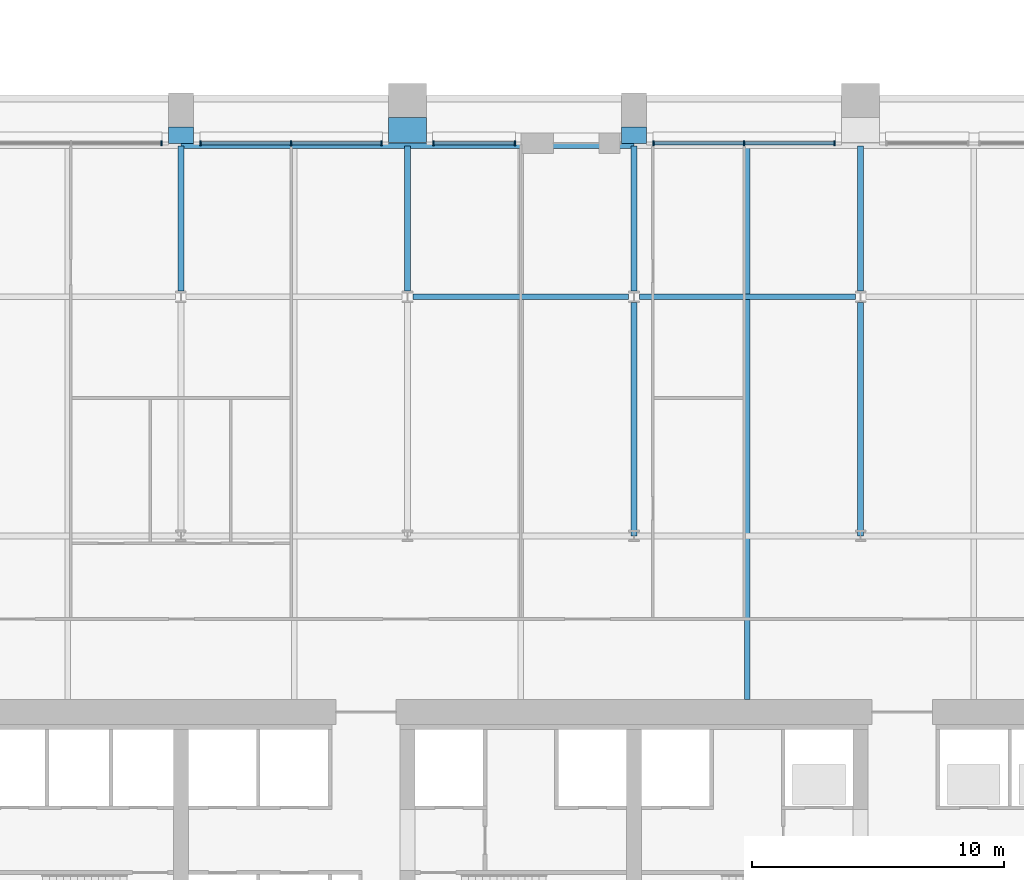
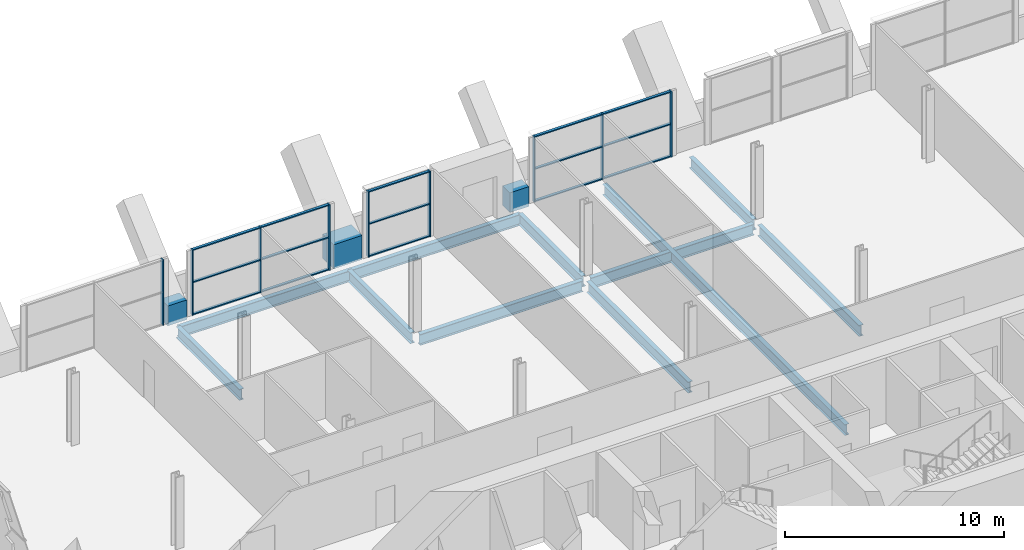
# One storey, part 9 of 26: 24 members, 13 beams, 4 elements without a shape of their own.
"""IFC4 building model written with IfcOpenShell, lengths in metres."""

from ifc_helpers import new_model, si_unit, direction, frame, origin, origin_2d, place, context, subcontext, project, spatial, rectangle, i_section, extrude, material, material_profile, profile_set, type_object, element, aggregate, save


model = new_model("IFC4")

# Units and contexts
model_context = context("Model", 3, precision=1e-05, world=origin(), true_north=direction((0.0, 1.0)))
body_context = subcontext(model_context, "Body", "Model", "MODEL_VIEW")
ifc_project = project(units=[si_unit("LENGTHUNIT", "METRE"), si_unit("AREAUNIT", "SQUARE_METRE"), si_unit("VOLUMEUNIT", "CUBIC_METRE"), si_unit("PLANEANGLEUNIT", "RADIAN"), si_unit("MASSUNIT", "GRAM", prefix="KILO")], contexts=[model_context])

# Site, building, storey
site_placement = place(None, origin())
site = spatial("IfcSite", under=ifc_project, at=site_placement, CompositionType="ELEMENT")
building_placement = place(site_placement, origin())
building = spatial("IfcBuilding", under=site, at=building_placement, Name="Zellij Exchange Tower", CompositionType="ELEMENT")
storey_placement = place(building_placement, frame((0.0, 0.0, 156.5)))
storey = spatial("IfcBuildingStorey", under=building, at=storey_placement, Name="L35", CompositionType="ELEMENT", Elevation=156.5)

# Curtain wall, members
ifc_material_1 = material(Name="Aluminium frame, clear insulating glass", Category="aluminium")
curtain_wall_type = type_object("IfcCurtainWallType", Name="ENV-CW6 Sky-lobby glazing", PredefinedType="NOTDEFINED", material=ifc_material_1)
curtain_wall_1_placement = place(storey_placement, origin())
curtain_wall_1 = element("IfcCurtainWall", 1, at=curtain_wall_1_placement, inside=storey, type_object=curtain_wall_type, Name="cw.L35.14e", PredefinedType="NOTDEFINED")
ifc_material_2 = material(Name="Aluminium", Category="aluminium")
ifc_material_profile_1 = material_profile(ifc_material_2, rectangle(XDim=0.06005859375, YDim=0.199951171875, at=origin_2d()), Name="AL 60x200")
ifc_profile_set_1 = profile_set([ifc_material_profile_1], Name="Aluminium")
member_type_1 = type_object("IfcMemberType", Name="ENV-CW6M Mullion 60x200", PredefinedType="MULLION", material=ifc_profile_set_1)
member_1_placement = place(storey_placement, frame((7.969970703125, 20.10009765625, 0.0), z_axis=(0.0, 0.0, 1.0), x_axis=(-1.0, 0.0, 0.0)))
member_1 = element("IfcMember", 2, at=member_1_placement, type_object=member_type_1, Name="CW6 mullion 1", PredefinedType="MULLION", context=body_context, shape_type="SweptSolid", body=[
    extrude(rectangle(XDim=0.06005859375, YDim=0.199951171875, at=origin_2d()), origin(), (0.0, 0.0, 1.0), 3.64990234375),
])
member_2_placement = place(storey_placement, frame((4.375, 20.10009765625, 0.0), z_axis=(0.0, 0.0, 1.0), x_axis=(-1.0, 0.0, 0.0)))
member_2 = element("IfcMember", 3, at=member_2_placement, type_object=member_type_1, Name="CW6 mullion 2", PredefinedType="MULLION", context=body_context, shape_type="SweptSolid", body=[
    extrude(rectangle(XDim=0.06005859375, YDim=0.199951171875, at=origin_2d()), origin(), (0.0, 0.0, 1.0), 3.64990234375),
])
member_3_placement = place(storey_placement, frame((0.780029296875, 20.10009765625, 0.0), z_axis=(0.0, 0.0, 1.0), x_axis=(-1.0, 0.0, 0.0)))
member_3 = element("IfcMember", 4, at=member_3_placement, type_object=member_type_1, Name="CW6 mullion 3", PredefinedType="MULLION", context=body_context, shape_type="SweptSolid", body=[
    extrude(rectangle(XDim=0.06005859375, YDim=0.199951171875, at=origin_2d()), origin(), (0.0, 0.0, 1.0), 3.64990234375),
])

curtain_wall_2_placement = place(storey_placement, origin())
curtain_wall_2 = element("IfcCurtainWall", 5, at=curtain_wall_2_placement, inside=storey, type_object=curtain_wall_type, Name="cw.L35.14g", PredefinedType="NOTDEFINED")
member_4_placement = place(storey_placement, frame((-4.72998046875, 20.10009765625, 0.0), z_axis=(0.0, 0.0, 1.0), x_axis=(-1.0, 0.0, 0.0)))
member_4 = element("IfcMember", 6, at=member_4_placement, type_object=member_type_1, Name="CW6 mullion 1", PredefinedType="MULLION", context=body_context, shape_type="SweptSolid", body=[
    extrude(rectangle(XDim=0.06005859375, YDim=0.199951171875, at=origin_2d()), origin(), (0.0, 0.0, 1.0), 3.64990234375),
])
member_5_placement = place(storey_placement, frame((-7.969970703125, 20.10009765625, 0.0), z_axis=(0.0, 0.0, 1.0), x_axis=(-1.0, 0.0, 0.0)))
member_5 = element("IfcMember", 7, at=member_5_placement, type_object=member_type_1, Name="CW6 mullion 2", PredefinedType="MULLION", context=body_context, shape_type="SweptSolid", body=[
    extrude(rectangle(XDim=0.06005859375, YDim=0.199951171875, at=origin_2d()), origin(), (0.0, 0.0, 1.0), 3.64990234375),
])

curtain_wall_3_placement = place(storey_placement, origin())
curtain_wall_3 = element("IfcCurtainWall", 8, at=curtain_wall_3_placement, inside=storey, type_object=curtain_wall_type, Name="cw.L35.14h", PredefinedType="NOTDEFINED")
member_6_placement = place(storey_placement, frame((-10.030029296875, 20.10009765625, 0.0), z_axis=(0.0, 0.0, 1.0), x_axis=(-1.0, 0.0, 0.0)))
member_6 = element("IfcMember", 9, at=member_6_placement, type_object=member_type_1, Name="CW6 mullion 1", PredefinedType="MULLION", context=body_context, shape_type="SweptSolid", body=[
    extrude(rectangle(XDim=0.06005859375, YDim=0.199951171875, at=origin_2d()), origin(), (0.0, 0.0, 1.0), 3.64990234375),
])
member_7_placement = place(storey_placement, frame((-13.625, 20.10009765625, 0.0), z_axis=(0.0, 0.0, 1.0), x_axis=(-1.0, 0.0, 0.0)))
member_7 = element("IfcMember", 10, at=member_7_placement, type_object=member_type_1, Name="CW6 mullion 2", PredefinedType="MULLION", context=body_context, shape_type="SweptSolid", body=[
    extrude(rectangle(XDim=0.06005859375, YDim=0.199951171875, at=origin_2d()), origin(), (0.0, 0.0, 1.0), 3.64990234375),
])
member_8_placement = place(storey_placement, frame((-17.219970703125, 20.10009765625, 0.0), z_axis=(0.0, 0.0, 1.0), x_axis=(-1.0, 0.0, 0.0)))
member_8 = element("IfcMember", 11, at=member_8_placement, type_object=member_type_1, Name="CW6 mullion 3", PredefinedType="MULLION", context=body_context, shape_type="SweptSolid", body=[
    extrude(rectangle(XDim=0.06005859375, YDim=0.199951171875, at=origin_2d()), origin(), (0.0, 0.0, 1.0), 3.64990234375),
])

# Curtain wall, member
curtain_wall_4_placement = place(storey_placement, origin())
curtain_wall_4 = element("IfcCurtainWall", 12, at=curtain_wall_4_placement, inside=storey, type_object=curtain_wall_type, Name="cw.L35.14i", PredefinedType="NOTDEFINED")
member_9_placement = place(storey_placement, frame((-18.780029296875, 20.10009765625, 0.0), z_axis=(0.0, 0.0, 1.0), x_axis=(-1.0, 0.0, 0.0)))
member_9 = element("IfcMember", 13, at=member_9_placement, type_object=member_type_1, Name="CW6 mullion 1", PredefinedType="MULLION", context=body_context, shape_type="SweptSolid", body=[
    extrude(rectangle(XDim=0.06005859375, YDim=0.199951171875, at=origin_2d()), origin(), (0.0, 0.0, 1.0), 3.64990234375),
])
aggregate(curtain_wall_4, [member_9])

# Member
ifc_material_profile_2 = material_profile(ifc_material_2, rectangle(XDim=0.139892578125, YDim=0.06005859375, at=origin_2d()), Name="AL 140x60")
ifc_profile_set_2 = profile_set([ifc_material_profile_2], Name="Aluminium")
member_type_2 = type_object("IfcMemberType", Name="ENV-CW6T Transom 140x60", PredefinedType="USERDEFINED", material=ifc_profile_set_2)
member_10_placement = place(storey_placement, frame((7.93994140625, 20.10009765625, 0.030029296875), z_axis=(-1.0, 0.0, 0.0), x_axis=(0.0, -1.0, 0.0)))
member_10 = element("IfcMember", 14, at=member_10_placement, type_object=member_type_2, Name="CW6 transom 1.1", ObjectType="TRANSOM", PredefinedType="USERDEFINED", context=body_context, shape_type="SweptSolid", body=[
    extrude(rectangle(XDim=0.139892578125, YDim=0.06005859375, at=origin_2d()), origin(), (0.0, 0.0, 1.0), 3.534912109375),
])

member_11_placement = place(storey_placement, frame((7.93994140625, 20.10009765625, 1.824951171875), z_axis=(-1.0, 0.0, 0.0), x_axis=(0.0, -1.0, 0.0)))
member_11 = element("IfcMember", 15, at=member_11_placement, type_object=member_type_2, Name="CW6 transom 1.2", ObjectType="TRANSOM", PredefinedType="USERDEFINED", context=body_context, shape_type="SweptSolid", body=[
    extrude(rectangle(XDim=0.139892578125, YDim=0.06005859375, at=origin_2d()), origin(), (0.0, 0.0, 1.0), 3.534912109375),
])

member_12_placement = place(storey_placement, frame((7.93994140625, 20.10009765625, 3.6201171875), z_axis=(-1.0, 0.0, 0.0), x_axis=(0.0, -1.0, 0.0)))
member_12 = element("IfcMember", 16, at=member_12_placement, type_object=member_type_2, Name="CW6 transom 1.3", ObjectType="TRANSOM", PredefinedType="USERDEFINED", context=body_context, shape_type="SweptSolid", body=[
    extrude(rectangle(XDim=0.139892578125, YDim=0.06005859375, at=origin_2d()), origin(), (0.0, 0.0, 1.0), 3.534912109375),
])

member_13_placement = place(storey_placement, frame((4.344970703125, 20.10009765625, 0.030029296875), z_axis=(-1.0, 0.0, 0.0), x_axis=(0.0, -1.0, 0.0)))
member_13 = element("IfcMember", 17, at=member_13_placement, type_object=member_type_2, Name="CW6 transom 2.1", ObjectType="TRANSOM", PredefinedType="USERDEFINED", context=body_context, shape_type="SweptSolid", body=[
    extrude(rectangle(XDim=0.139892578125, YDim=0.06005859375, at=origin_2d()), origin(), (0.0, 0.0, 1.0), 3.534912109375),
])

member_14_placement = place(storey_placement, frame((4.344970703125, 20.10009765625, 1.824951171875), z_axis=(-1.0, 0.0, 0.0), x_axis=(0.0, -1.0, 0.0)))
member_14 = element("IfcMember", 18, at=member_14_placement, type_object=member_type_2, Name="CW6 transom 2.2", ObjectType="TRANSOM", PredefinedType="USERDEFINED", context=body_context, shape_type="SweptSolid", body=[
    extrude(rectangle(XDim=0.139892578125, YDim=0.06005859375, at=origin_2d()), origin(), (0.0, 0.0, 1.0), 3.534912109375),
])

member_15_placement = place(storey_placement, frame((4.344970703125, 20.10009765625, 3.6201171875), z_axis=(-1.0, 0.0, 0.0), x_axis=(0.0, -1.0, 0.0)))
member_15 = element("IfcMember", 19, at=member_15_placement, type_object=member_type_2, Name="CW6 transom 2.3", ObjectType="TRANSOM", PredefinedType="USERDEFINED", context=body_context, shape_type="SweptSolid", body=[
    extrude(rectangle(XDim=0.139892578125, YDim=0.06005859375, at=origin_2d()), origin(), (0.0, 0.0, 1.0), 3.534912109375),
])

aggregate(curtain_wall_1, [member_1, member_2, member_3, member_10, member_11, member_12, member_13, member_14, member_15])

member_16_placement = place(storey_placement, frame((-4.760009765625, 20.10009765625, 0.030029296875), z_axis=(-1.0, 0.0, 0.0), x_axis=(0.0, -1.0, 0.0)))
member_16 = element("IfcMember", 20, at=member_16_placement, type_object=member_type_2, Name="CW6 transom 1.1", ObjectType="TRANSOM", PredefinedType="USERDEFINED", context=body_context, shape_type="SweptSolid", body=[
    extrude(rectangle(XDim=0.139892578125, YDim=0.06005859375, at=origin_2d()), origin(), (0.0, 0.0, 1.0), 3.179931640625),
])

member_17_placement = place(storey_placement, frame((-4.760009765625, 20.10009765625, 1.824951171875), z_axis=(-1.0, 0.0, 0.0), x_axis=(0.0, -1.0, 0.0)))
member_17 = element("IfcMember", 21, at=member_17_placement, type_object=member_type_2, Name="CW6 transom 1.2", ObjectType="TRANSOM", PredefinedType="USERDEFINED", context=body_context, shape_type="SweptSolid", body=[
    extrude(rectangle(XDim=0.139892578125, YDim=0.06005859375, at=origin_2d()), origin(), (0.0, 0.0, 1.0), 3.179931640625),
])

member_18_placement = place(storey_placement, frame((-4.760009765625, 20.10009765625, 3.6201171875), z_axis=(-1.0, 0.0, 0.0), x_axis=(0.0, -1.0, 0.0)))
member_18 = element("IfcMember", 22, at=member_18_placement, type_object=member_type_2, Name="CW6 transom 1.3", ObjectType="TRANSOM", PredefinedType="USERDEFINED", context=body_context, shape_type="SweptSolid", body=[
    extrude(rectangle(XDim=0.139892578125, YDim=0.06005859375, at=origin_2d()), origin(), (0.0, 0.0, 1.0), 3.179931640625),
])

aggregate(curtain_wall_2, [member_4, member_5, member_16, member_17, member_18])

member_19_placement = place(storey_placement, frame((-10.06005859375, 20.10009765625, 0.030029296875), z_axis=(-1.0, 0.0, 0.0), x_axis=(0.0, -1.0, 0.0)))
member_19 = element("IfcMember", 23, at=member_19_placement, type_object=member_type_2, Name="CW6 transom 1.1", ObjectType="TRANSOM", PredefinedType="USERDEFINED", context=body_context, shape_type="SweptSolid", body=[
    extrude(rectangle(XDim=0.139892578125, YDim=0.06005859375, at=origin_2d()), origin(), (0.0, 0.0, 1.0), 3.534912109375),
])

member_20_placement = place(storey_placement, frame((-10.06005859375, 20.10009765625, 1.824951171875), z_axis=(-1.0, 0.0, 0.0), x_axis=(0.0, -1.0, 0.0)))
member_20 = element("IfcMember", 24, at=member_20_placement, type_object=member_type_2, Name="CW6 transom 1.2", ObjectType="TRANSOM", PredefinedType="USERDEFINED", context=body_context, shape_type="SweptSolid", body=[
    extrude(rectangle(XDim=0.139892578125, YDim=0.06005859375, at=origin_2d()), origin(), (0.0, 0.0, 1.0), 3.534912109375),
])

member_21_placement = place(storey_placement, frame((-10.06005859375, 20.10009765625, 3.6201171875), z_axis=(-1.0, 0.0, 0.0), x_axis=(0.0, -1.0, 0.0)))
member_21 = element("IfcMember", 25, at=member_21_placement, type_object=member_type_2, Name="CW6 transom 1.3", ObjectType="TRANSOM", PredefinedType="USERDEFINED", context=body_context, shape_type="SweptSolid", body=[
    extrude(rectangle(XDim=0.139892578125, YDim=0.06005859375, at=origin_2d()), origin(), (0.0, 0.0, 1.0), 3.534912109375),
])

member_22_placement = place(storey_placement, frame((-13.655029296875, 20.10009765625, 0.030029296875), z_axis=(-1.0, 0.0, 0.0), x_axis=(0.0, -1.0, 0.0)))
member_22 = element("IfcMember", 26, at=member_22_placement, type_object=member_type_2, Name="CW6 transom 2.1", ObjectType="TRANSOM", PredefinedType="USERDEFINED", context=body_context, shape_type="SweptSolid", body=[
    extrude(rectangle(XDim=0.139892578125, YDim=0.06005859375, at=origin_2d()), origin(), (0.0, 0.0, 1.0), 3.534912109375),
])

member_23_placement = place(storey_placement, frame((-13.655029296875, 20.10009765625, 1.824951171875), z_axis=(-1.0, 0.0, 0.0), x_axis=(0.0, -1.0, 0.0)))
member_23 = element("IfcMember", 27, at=member_23_placement, type_object=member_type_2, Name="CW6 transom 2.2", ObjectType="TRANSOM", PredefinedType="USERDEFINED", context=body_context, shape_type="SweptSolid", body=[
    extrude(rectangle(XDim=0.139892578125, YDim=0.06005859375, at=origin_2d()), origin(), (0.0, 0.0, 1.0), 3.534912109375),
])

member_24_placement = place(storey_placement, frame((-13.655029296875, 20.10009765625, 3.6201171875), z_axis=(-1.0, 0.0, 0.0), x_axis=(0.0, -1.0, 0.0)))
member_24 = element("IfcMember", 28, at=member_24_placement, type_object=member_type_2, Name="CW6 transom 2.3", ObjectType="TRANSOM", PredefinedType="USERDEFINED", context=body_context, shape_type="SweptSolid", body=[
    extrude(rectangle(XDim=0.139892578125, YDim=0.06005859375, at=origin_2d()), origin(), (0.0, 0.0, 1.0), 3.534912109375),
])

aggregate(curtain_wall_3, [member_6, member_7, member_8, member_19, member_20, member_21, member_22, member_23, member_24])

# Beams
ifc_material_3 = material(Name="Structural steel ASTM A992 Gr 50", Category="steel")
ifc_material_profile_3 = material_profile(ifc_material_3, i_section(OverallWidth=0.227783203125, OverallDepth=0.60205078125, WebThickness=0.010498046875, FlangeThickness=0.014892578125, at=origin_2d()), Name="W24x68")
ifc_profile_set_3 = profile_set([ifc_material_profile_3], Name="Structural steel ASTM A992 Gr 50")
beam_type_1 = type_object("IfcBeamType", Name="STR-BEAM W24x68", PredefinedType="BEAM", material=ifc_profile_set_3)
beam_1_placement = place(storey_placement, frame((4.5, -2.0, -0.60107421875), z_axis=(0.0, 1.0, 0.0), x_axis=(-1.0, 0.0, 0.0)))
element("IfcBeam", 29, at=beam_1_placement, inside=storey, type_object=beam_type_1, Name="B5", PredefinedType="BEAM", context=body_context, shape_type="SweptSolid", body=[
    extrude(i_section(OverallWidth=0.227783203125, OverallDepth=0.60205078125, WebThickness=0.010498046875, FlangeThickness=0.014892578125, at=origin_2d()), origin(), (0.0, 0.0, 1.0), 22.114501953125),
])
ifc_material_profile_4 = material_profile(ifc_material_3, i_section(OverallWidth=0.22900390625, OverallDepth=0.612060546875, WebThickness=0.011962890625, FlangeThickness=0.01953125, at=origin_2d()), Name="W24x84")
ifc_profile_set_4 = profile_set([ifc_material_profile_4], Name="Structural steel ASTM A992 Gr 50")
beam_type_2 = type_object("IfcBeamType", Name="STR-GIRDER W24x84", PredefinedType="BEAM", material=ifc_profile_set_4)
for number, where, z_axis, x_axis, name in (
    (30, (-8.790283203125, 14.0, -0.606201171875), (1.0, 0.0, 0.0), (0.0, 1.0, 0.0), "G4"),
    (31, (0.20947265625, 14.0, -0.606201171875), (1.0, 0.0, 0.0), (0.0, 1.0, 0.0), "G4"),
):
    element("IfcBeam", number, at=place(storey_placement, frame(where, z_axis=z_axis, x_axis=x_axis)), inside=storey, type_object=beam_type_2, Name=name, PredefinedType="BEAM", context=body_context, shape_type="SweptSolid", body=[
        extrude(i_section(OverallWidth=0.22900390625, OverallDepth=0.612060546875, WebThickness=0.011962890625, FlangeThickness=0.01953125, at=origin_2d()), origin(), (0.0, 0.0, 1.0), 8.580810546875),
    ])
beam_2_placement = place(storey_placement, frame((-18.0, 20.0, -0.606201171875), z_axis=(1.0, 0.0, 0.0), x_axis=(0.0, 1.0, 0.0)))
element("IfcBeam", 32, at=beam_2_placement, inside=storey, type_object=beam_type_2, Name="G4", PredefinedType="BEAM", context=body_context, shape_type="SweptSolid", body=[
    extrude(i_section(OverallWidth=0.22900390625, OverallDepth=0.612060546875, WebThickness=0.011962890625, FlangeThickness=0.01953125, at=origin_2d()), origin(), (0.0, 0.0, 1.0), 18.0),
])
for number, where, z_axis, x_axis, name in (
    (33, (-18.0, 14.227294921875, -0.606201171875), (0.0, 1.0, 0.0), (-1.0, 0.0, 0.0), "G4"),
    (34, (-9.0, 14.227294921875, -0.606201171875), (0.0, 1.0, 0.0), (-1.0, 0.0, 0.0), "G4"),
):
    element("IfcBeam", number, at=place(storey_placement, frame(where, z_axis=z_axis, x_axis=x_axis)), inside=storey, type_object=beam_type_2, Name=name, PredefinedType="BEAM", context=body_context, shape_type="SweptSolid", body=[
        extrude(i_section(OverallWidth=0.22900390625, OverallDepth=0.612060546875, WebThickness=0.011962890625, FlangeThickness=0.01953125, at=origin_2d()), origin(), (0.0, 0.0, 1.0), 5.772705078125),
    ])
beam_3_placement = place(storey_placement, frame((0.0, 4.5, -0.606201171875), z_axis=(0.0, 1.0, 0.0), x_axis=(-1.0, 0.0, 0.0)))
element("IfcBeam", 35, at=beam_3_placement, inside=storey, type_object=beam_type_2, Name="G4", PredefinedType="BEAM", context=body_context, shape_type="SweptSolid", body=[
    extrude(i_section(OverallWidth=0.22900390625, OverallDepth=0.612060546875, WebThickness=0.011962890625, FlangeThickness=0.01953125, at=origin_2d()), origin(), (0.0, 0.0, 1.0), 9.272705078125),
])
beam_4_placement = place(storey_placement, frame((0.0, 14.227294921875, -0.606201171875), z_axis=(0.0, 1.0, 0.0), x_axis=(-1.0, 0.0, 0.0)))
element("IfcBeam", 36, at=beam_4_placement, inside=storey, type_object=beam_type_2, Name="G4", PredefinedType="BEAM", context=body_context, shape_type="SweptSolid", body=[
    extrude(i_section(OverallWidth=0.22900390625, OverallDepth=0.612060546875, WebThickness=0.011962890625, FlangeThickness=0.01953125, at=origin_2d()), origin(), (0.0, 0.0, 1.0), 5.772705078125),
])
beam_5_placement = place(storey_placement, frame((9.0, 4.5, -0.606201171875), z_axis=(0.0, 1.0, 0.0), x_axis=(-1.0, 0.0, 0.0)))
element("IfcBeam", 37, at=beam_5_placement, inside=storey, type_object=beam_type_2, Name="G4", PredefinedType="BEAM", context=body_context, shape_type="SweptSolid", body=[
    extrude(i_section(OverallWidth=0.22900390625, OverallDepth=0.612060546875, WebThickness=0.011962890625, FlangeThickness=0.01953125, at=origin_2d()), origin(), (0.0, 0.0, 1.0), 9.272705078125),
])
beam_6_placement = place(storey_placement, frame((9.0, 14.227294921875, -0.606201171875), z_axis=(0.0, 1.0, 0.0), x_axis=(-1.0, 0.0, 0.0)))
element("IfcBeam", 38, at=beam_6_placement, inside=storey, type_object=beam_type_2, Name="G4", PredefinedType="BEAM", context=body_context, shape_type="SweptSolid", body=[
    extrude(i_section(OverallWidth=0.22900390625, OverallDepth=0.612060546875, WebThickness=0.011962890625, FlangeThickness=0.01953125, at=origin_2d()), origin(), (0.0, 0.0, 1.0), 5.772705078125),
])
ifc_material_4 = material(Name="Concrete C60/75", Category="concrete")
ifc_material_profile_5 = material_profile(ifc_material_4, rectangle(XDim=1.0, YDim=1.10009765625, at=origin_2d()), Name="STR-KNUCKLE BLOCK RC1000x1100 C60/75")
ifc_profile_set_5 = profile_set([ifc_material_profile_5], Name="Concrete C60/75")
beam_type_3 = type_object("IfcBeamType", Name="STR-KNUCKLE BLOCK RC1000x1100 C60/75", PredefinedType="BEAM", material=ifc_profile_set_5)
for number, where, z_axis, x_axis, name in (
    (39, (-18.0, 20.088134765625, 0.375), (0.0, 1.0, 0.0), (-1.0, 0.0, 0.0), "KB3"),
    (40, (0.0, 20.088134765625, 0.375), (0.0, 1.0, 0.0), (-1.0, 0.0, 0.0), "KB3"),
):
    element("IfcBeam", number, at=place(storey_placement, frame(where, z_axis=z_axis, x_axis=x_axis)), inside=storey, type_object=beam_type_3, Name=name, PredefinedType="BEAM", context=body_context, shape_type="SweptSolid", body=[
        extrude(rectangle(XDim=1.0, YDim=1.10009765625, at=origin_2d()), origin(), (0.0, 0.0, 1.0), 0.66455078125),
    ])
ifc_material_profile_6 = material_profile(ifc_material_4, rectangle(XDim=1.5, YDim=1.35009765625, at=origin_2d()), Name="STR-KNUCKLE BLOCK RC1500x1350 C60/75")
ifc_profile_set_6 = profile_set([ifc_material_profile_6], Name="Concrete C60/75")
beam_type_4 = type_object("IfcBeamType", Name="STR-KNUCKLE BLOCK RC1500x1350 C60/75", PredefinedType="BEAM", material=ifc_profile_set_6)
beam_7_placement = place(storey_placement, frame((-9.0, 20.13232421875, 0.574951171875), z_axis=(0.0, 1.0, 0.0), x_axis=(-1.0, 0.0, 0.0)))
element("IfcBeam", 41, at=beam_7_placement, inside=storey, type_object=beam_type_4, Name="KB8", PredefinedType="BEAM", context=body_context, shape_type="SweptSolid", body=[
    extrude(rectangle(XDim=1.5, YDim=1.35009765625, at=origin_2d()), origin(), (0.0, 0.0, 1.0), 0.99658203125),
])

save(model, "model.ifc")
